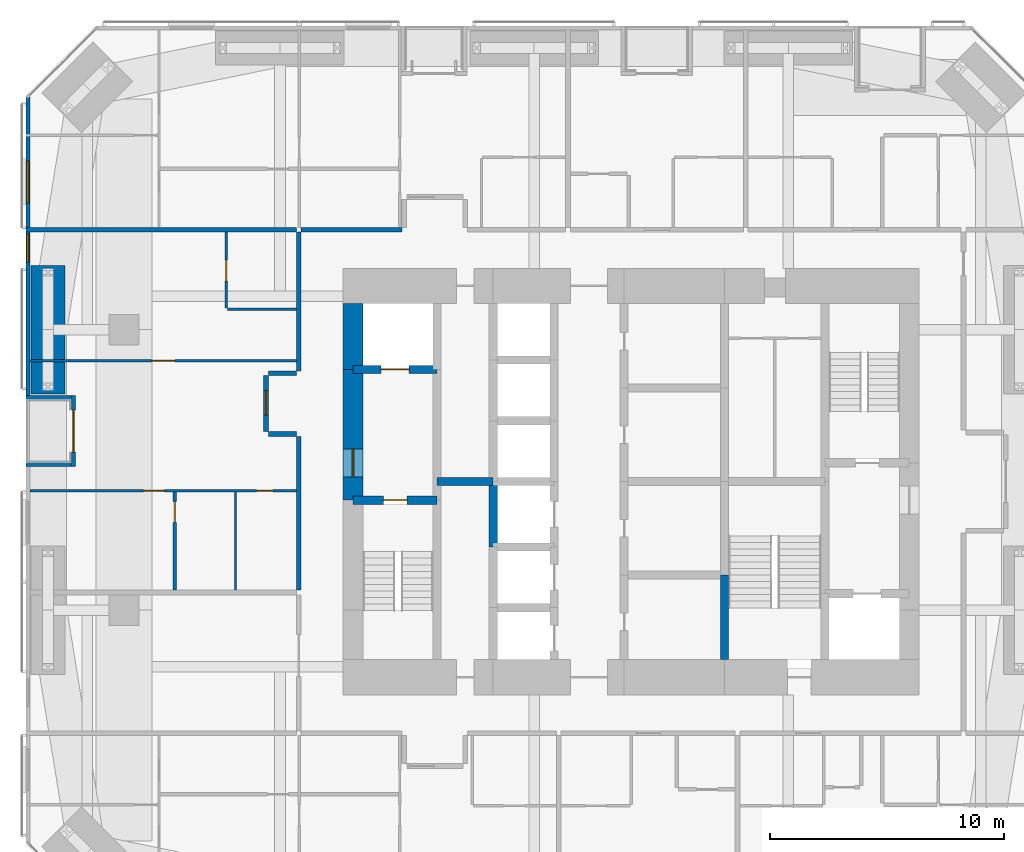
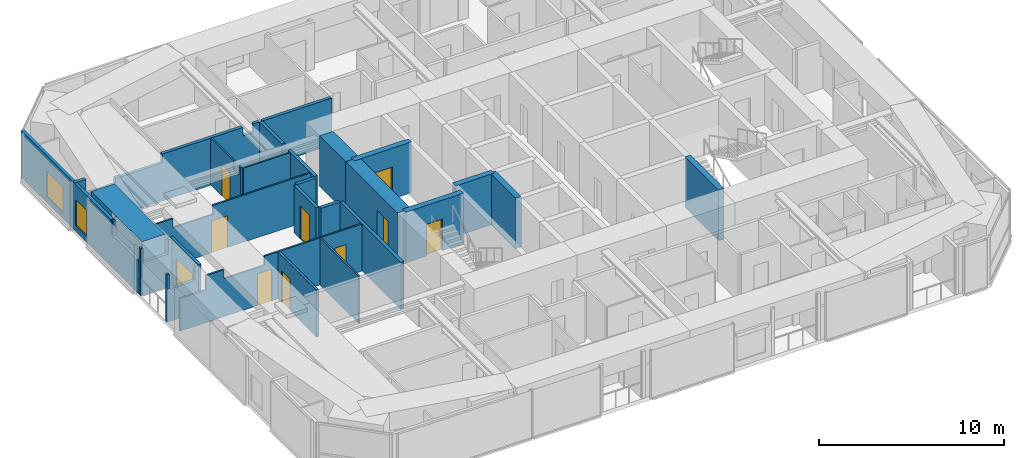
# One storey, part 19 of 25: 25 walls, 10 doors, 2 windows, 12 openings.
"""IFC4 building model written with IfcOpenShell, lengths in metres."""

import ifcopenshell
import ifcopenshell.guid

model = None  # the IFC model being written
_history = None  # IfcOwnerHistory: only IFC2X3 demands one
_inside = {}  # id of a spatial element -> (the spatial element, [elements in it])
_under = {}  # id of a project, library or spatial element -> (it, [spatial elements below it])
_declared = {}  # id of a project -> (the project, [libraries it declares])
_typed = {}  # id of a type object -> (the type object, [elements of that type])
_made_of = {}  # id of a material, layer set ... -> (it, [elements and type objects made of it])


def new_model(schema):
    """Start an empty IFC model of exactly this schema.

    Asked for "IFC4X3", IfcOpenShell would pick the latest addendum, in which some entities
    have other attributes; the version numbers below select the first issue.
    IFC2X3 requires an IfcOwnerHistory on every rooted entity: one is made here for all.
    """
    global model, _history
    if schema == "IFC4X3":
        model = ifcopenshell.file(schema_version=(4, 3, 0, 0))
    else:
        model = ifcopenshell.file(schema=schema)
    _inside.clear()
    _under.clear()
    _declared.clear()
    _typed.clear()
    _made_of.clear()
    _history = None
    if model.schema == "IFC2X3":
        org = make("IfcOrganization", Name="unknown")
        user = make(
            "IfcPersonAndOrganization",
            ThePerson=make("IfcPerson", FamilyName="unknown"),
            TheOrganization=org,
        )
        app = make(
            "IfcApplication",
            ApplicationDeveloper=org,
            Version="unknown",
            ApplicationFullName="unknown",
            ApplicationIdentifier="unknown",
        )
        _history = make(
            "IfcOwnerHistory",
            OwningUser=user,
            OwningApplication=app,
            ChangeAction="ADDED",
            CreationDate=0,
        )
    return model


def make(cls, **values):
    """One entity of the class cls with the attributes given. An attribute that is None is left unset."""
    return model.create_entity(
        cls, **{name: value for name, value in values.items() if value is not None}
    )


def rooted(cls, **values):
    """An entity with a GlobalId (a new one), such as an element, a storey or a relation."""
    return make(cls, GlobalId=ifcopenshell.guid.new(), OwnerHistory=_history, **values)


def si_unit(unit_type, name, prefix=None):
    """IfcSIUnit, for example si_unit("LENGTHUNIT", "METRE", prefix="MILLI")."""
    return make("IfcSIUnit", UnitType=unit_type, Prefix=prefix, Name=name)


def assignment(units):
    """IfcUnitAssignment: the units of a project."""
    return None if units is None else make("IfcUnitAssignment", Units=units)


def point(xyz):
    """IfcCartesianPoint."""
    return None if xyz is None else make("IfcCartesianPoint", Coordinates=xyz)


def direction(xyz):
    """IfcDirection."""
    return None if xyz is None else make("IfcDirection", DirectionRatios=xyz)


def frame(location, z_axis=None, x_axis=None):
    """IfcAxis2Placement3D, a coordinate frame: its origin and axes. An axis left out is left unset."""
    return make(
        "IfcAxis2Placement3D",
        Location=point(location),
        Axis=direction(z_axis),
        RefDirection=direction(x_axis),
    )


def frame_2d(location, x_axis=None):
    """IfcAxis2Placement2D, a coordinate frame in the plane: its origin and x axis."""
    return make(
        "IfcAxis2Placement2D", Location=point(location), RefDirection=direction(x_axis)
    )


def origin():
    """The frame at (0, 0, 0) with its axes left unset."""
    return frame((0.0, 0.0, 0.0))


def place(relative_to, where):
    """IfcLocalPlacement: puts the frame where relative to a parent placement (None: the world)."""
    return make(
        "IfcLocalPlacement", PlacementRelTo=relative_to, RelativePlacement=where
    )


def context(
    kind, dimensions, precision=None, world=None, true_north=None, identifier=None
):
    """IfcGeometricRepresentationContext, for example the 3D "Model" context."""
    return make(
        "IfcGeometricRepresentationContext",
        ContextIdentifier=identifier,
        ContextType=kind,
        CoordinateSpaceDimension=dimensions,
        Precision=precision,
        WorldCoordinateSystem=world,
        TrueNorth=true_north,
    )


def subcontext(parent, identifier, kind, view, scale=None):
    """IfcGeometricRepresentationSubContext, for example "Body" below "Model"."""
    return make(
        "IfcGeometricRepresentationSubContext",
        ContextIdentifier=identifier,
        ContextType=kind,
        ParentContext=parent,
        TargetScale=scale,
        TargetView=view,
    )


def project(units=None, contexts=None):
    """IfcProject with its units and contexts."""
    return rooted(
        "IfcProject",
        Name="project",
        RepresentationContexts=contexts,
        UnitsInContext=assignment(units),
    )


def spatial(cls, under=None, at=None, **own):
    """A site, building, storey or space (cls), placed at a placement, below another one or the project."""
    s = rooted(cls, ObjectPlacement=at, **own)
    if under is not None:
        _under.setdefault(under.id(), (under, []))[1].append(s)
    return s


def polyline(points):
    """IfcPolyline through the points."""
    return make("IfcPolyline", Points=[point(p) for p in points])


def profile(cls, at=None, kind="AREA", **sizes):
    """A parametric profile (cls). Its sizes go by their IFC names, for example OverallWidth=200.0."""
    return make(cls, ProfileType=kind, Position=at, **sizes)


def rectangle(**sizes):
    """IfcRectangleProfileDef."""
    return profile("IfcRectangleProfileDef", **sizes)


def outline(outer, holes=None, kind="AREA"):
    """IfcArbitraryClosedProfileDef: a profile drawn as a closed curve; with holes, ...WithVoids."""
    if holes is None:
        return make("IfcArbitraryClosedProfileDef", ProfileType=kind, OuterCurve=outer)
    return make(
        "IfcArbitraryProfileDefWithVoids",
        ProfileType=kind,
        OuterCurve=outer,
        InnerCurves=holes,
    )


def extrude(swept, where, along, depth):
    """IfcExtrudedAreaSolid: the profile swept, set in the frame where, extruded along a direction by depth."""
    return make(
        "IfcExtrudedAreaSolid",
        SweptArea=swept,
        Position=where,
        ExtrudedDirection=direction(along),
        Depth=depth,
    )


def shape(context_of_items, identifier, shape_type, items):
    """IfcShapeRepresentation: the items that make up one representation, for example the "Body"."""
    return make(
        "IfcShapeRepresentation",
        ContextOfItems=context_of_items,
        RepresentationIdentifier=identifier,
        RepresentationType=shape_type,
        Items=items,
    )


def material(Name=None, Category=None):
    """IfcMaterial."""
    return make("IfcMaterial", Name=Name, Category=Category)


def layer(
    of_material, thickness, ventilated=None, Name=None, Category=None, Priority=None
):
    """IfcMaterialLayer: one layer of a wall or slab, of a material (None: an air gap)."""
    return make(
        "IfcMaterialLayer",
        Material=of_material,
        LayerThickness=thickness,
        IsVentilated=ventilated,
        Name=Name,
        Category=Category,
        Priority=Priority,
    )


def layer_set(layers, Name=None):
    """IfcMaterialLayerSet."""
    return make("IfcMaterialLayerSet", MaterialLayers=layers, LayerSetName=Name)


def constituent(of_material, Name=None, Category=None, fraction=None):
    """IfcMaterialConstituent: one of the materials an element consists of."""
    return make(
        "IfcMaterialConstituent",
        Name=Name,
        Material=of_material,
        Fraction=fraction,
        Category=Category,
    )


def constituent_set(constituents=None, Name=None):
    """IfcMaterialConstituentSet."""
    return make(
        "IfcMaterialConstituentSet", Name=Name, MaterialConstituents=constituents
    )


def made_of(thing, what):
    """Note that an element or type object is made of a material, layer set ...; save() writes the relation."""
    if what is not None:
        _made_of.setdefault(what.id(), (what, []))[1].append(thing)
    return thing


def type_object(cls, material=None, **own):
    """A type object (cls), such as IfcWallType, which elements share."""
    return made_of(rooted(cls, **own), material)


def element(
    cls,
    number,
    at=None,
    inside=None,
    cuts=None,
    type_object=None,
    material=None,
    context=None,
    identifier="Body",
    shape_type=None,
    held_by="IfcProductDefinitionShape",
    body=None,
    shapes=None,
    **own,
):
    """One element of the class cls, such as IfcWall. Its Tag is "e" and its number.

    at: its placement. inside: the storey or other place that contains it. cuts: it is an
    opening in that element (IfcRelVoidsElement). A single representation is given by context,
    identifier, shape_type and body (its items); several are given by shapes. held_by: the class
    of the entity that holds the representations. save() writes the other relations.
    """
    e = rooted(cls, Tag="e%d" % number, ObjectPlacement=at, **own)
    if body is not None:
        shapes = [shape(context, identifier, shape_type, body)]
    if shapes is not None:
        e.Representation = make(held_by, Representations=shapes)
    if inside is not None:
        _inside.setdefault(inside.id(), (inside, []))[1].append(e)
    if cuts is not None:
        rooted(
            "IfcRelVoidsElement", RelatingBuildingElement=cuts, RelatedOpeningElement=e
        )
    if type_object is not None:
        _typed.setdefault(type_object.id(), (type_object, []))[1].append(e)
    return made_of(e, material)


def fill(opening, filler):
    """IfcRelFillsElement: the door or window that sits in an opening."""
    return rooted(
        "IfcRelFillsElement",
        RelatingOpeningElement=opening,
        RelatedBuildingElement=filler,
    )


def aggregate(whole, parts):
    """IfcRelAggregates: a whole, such as a stair, and the parts it consists of."""
    return rooted("IfcRelAggregates", RelatingObject=whole, RelatedObjects=parts)


def save(model, path):
    """Write the relations noted so far, then the file.

    IfcRelAggregates (storeys below a building ...), IfcRelContainedInSpatialStructure (elements
    in a storey), IfcRelDefinesByType, IfcRelAssociatesMaterial and IfcRelDeclares: one each for
    every whole, place, type object, material and project.
    """
    for whole, parts in _under.values():
        aggregate(whole, parts)
    for where, things in _inside.values():
        rooted(
            "IfcRelContainedInSpatialStructure",
            RelatedElements=things,
            RelatingStructure=where,
        )
    for kind, things in _typed.values():
        rooted("IfcRelDefinesByType", RelatedObjects=things, RelatingType=kind)
    for what, things in _made_of.values():
        rooted("IfcRelAssociatesMaterial", RelatedObjects=things, RelatingMaterial=what)
    for by, libraries in _declared.values():
        rooted("IfcRelDeclares", RelatingContext=by, RelatedDefinitions=libraries)
    model.write(path)


model = new_model("IFC4")

# Units and contexts
model_context = context("Model", 3, precision=1e-05, world=origin(), true_north=direction((0.0, 1.0)))
body_context = subcontext(model_context, "Body", "Model", "MODEL_VIEW")
ifc_project = project(units=[si_unit("LENGTHUNIT", "METRE"), si_unit("AREAUNIT", "SQUARE_METRE"), si_unit("VOLUMEUNIT", "CUBIC_METRE"), si_unit("PLANEANGLEUNIT", "RADIAN"), si_unit("MASSUNIT", "GRAM", prefix="KILO")], contexts=[model_context])

# Site, building, storey
site_placement = place(None, origin())
site = spatial("IfcSite", under=ifc_project, at=site_placement, CompositionType="ELEMENT")
building_placement = place(site_placement, origin())
building = spatial("IfcBuilding", under=site, at=building_placement, Name="Jalousie Tower", CompositionType="ELEMENT")
storey_placement = place(building_placement, frame((0.0, 0.0, 94.800048828125)))
storey = spatial("IfcBuildingStorey", under=building, at=storey_placement, Name="L25", CompositionType="ELEMENT", Elevation=94.800048828125)

# Wall, opening, door
ifc_material_1 = material(Name="Concrete block ASTM C90", Category="concrete")
ifc_constituent_1 = constituent(ifc_material_1, Name="Body")
ifc_material_2 = material(Name="Render")
ifc_constituent_2 = constituent(ifc_material_2, Name="Finish")
ifc_constituent_set_1 = constituent_set(constituents=[ifc_constituent_1, ifc_constituent_2])
wall_type_1 = type_object("IfcWallType", Name="BATHROOM WALL 150", PredefinedType="PLUMBINGWALL", material=ifc_constituent_set_1)
wall_1_placement = place(storey_placement, frame((12.375, 13.85009765625, 0.0), z_axis=(0.0, 0.0, 1.0), x_axis=(0.0, 1.0, 0.0)))
wall_1 = element("IfcWall", 1, at=wall_1_placement, inside=storey, type_object=wall_type_1, Name="Bathroom Wall 150 L25", PredefinedType="PLUMBINGWALL", context=body_context, shape_type="SweptSolid", body=[
    extrude(rectangle(XDim=4.199951171875, YDim=0.14990234375, at=frame_2d((2.10009765625, 0.0))), origin(), (0.0, 0.0, 1.0), 3.10986328125),
])
opening_1_placement = place(wall_1_placement, frame((2.89990234375, 0.0, 0.0)))
opening_1 = element("IfcOpeningElement", 2, at=opening_1_placement, cuts=wall_1, Name="Opening D3", PredefinedType="OPENING", context=body_context, shape_type="SweptSolid", body=[
    extrude(rectangle(XDim=0.89990234375, YDim=2.10009765625, at=frame_2d((0.449951171875, 1.050048828125))), frame((0.0, 0.0849609375, 0.0), z_axis=(0.0, -1.0, 0.0), x_axis=(1.0, 0.0, 0.0)), (0.0, 0.0, 1.0), 0.169921875),
])
ifc_material_3 = material(Name="Timber door", Category="wood")
door_type_1 = type_object("IfcDoorType", Name="BATHROOM DOOR 900", OperationType="SINGLE_SWING_LEFT", PredefinedType="DOOR", material=ifc_material_3)
door_1_placement = place(opening_1_placement, frame((0.89990234375, 0.0, 0.0), z_axis=(0.0, 0.0, 1.0), x_axis=(-1.0, 0.0, 0.0)))
door_1 = element("IfcDoor", 3, at=door_1_placement, inside=storey, type_object=door_type_1, Name="Apartment 2507 bedroom 1 bathroom door", OperationType="SINGLE_SWING_LEFT", OverallHeight=2.10009765625, OverallWidth=0.89990234375, PredefinedType="DOOR", context=body_context, shape_type="SweptSolid", body=[
    extrude(rectangle(XDim=0.89990234375, YDim=2.10009765625, at=frame_2d((0.449951171875, 1.050048828125))), frame((0.0, 0.02490234375, 0.0), z_axis=(0.0, -1.0, 0.0), x_axis=(1.0, 0.0, 0.0)), (0.0, 0.0, 1.0), 0.050048828125),
])
fill(opening_1, door_1)

# Walls
ifc_material_4 = material(Name="Concrete f'c 120 MPa", Category="concrete")
ifc_layer_1 = layer(ifc_material_4, 0.35009765625)
ifc_layer_set_1 = layer_set([ifc_layer_1], Name="Concrete f'c 120 MPa")
wall_type_2 = type_object("IfcWallType", Name="CORE WALL 350", PredefinedType="SHEAR", material=ifc_layer_set_1)
wall_2_placement = place(storey_placement, frame((26.0, 15.699951171875, 0.0), z_axis=(0.0, 0.0, 1.0), x_axis=(0.0, 1.0, 0.0)))
element("IfcWall", 4, at=wall_2_placement, inside=storey, type_object=wall_type_2, Name="Core wall X26C L25", PredefinedType="SHEAR", context=body_context, shape_type="SweptSolid", body=[
    extrude(rectangle(XDim=2.800048828125, YDim=0.35009765625, at=frame_2d((1.39990234375, 0.0))), origin(), (0.0, 0.0, 1.0), 3.349853515625),
])
wall_3_placement = place(storey_placement, frame((35.89990234375, 10.875, 0.0), z_axis=(0.0, 0.0, 1.0), x_axis=(0.0, 1.0, 0.0)))
element("IfcWall", 5, at=wall_3_placement, inside=storey, type_object=wall_type_2, Name="Core wall X35.9A L25", PredefinedType="SHEAR", context=body_context, shape_type="SweptSolid", body=[
    extrude(rectangle(XDim=3.625, YDim=0.35009765625, at=frame_2d((1.8125, 0.0))), origin(), (0.0, 0.0, 1.0), 3.349853515625),
])

# Wall, opening, door
wall_4_placement = place(storey_placement, frame((20.0, 17.699951171875, 0.0), z_axis=(0.0, 0.0, 1.0), x_axis=(1.0, 0.0, 0.0)))
wall_4 = element("IfcWall", 6, at=wall_4_placement, inside=storey, type_object=wall_type_2, Name="Core wall Y20-17.7 L25", PredefinedType="SHEAR", context=body_context, shape_type="SweptSolid", body=[
    extrude(rectangle(XDim=3.60009765625, YDim=0.35009765625, at=frame_2d((1.800048828125, 0.0))), origin(), (0.0, 0.0, 1.0), 3.349853515625),
])
opening_2_placement = place(wall_4_placement, frame((1.300048828125, 0.0, 0.0)))
opening_2 = element("IfcOpeningElement", 7, at=opening_2_placement, cuts=wall_4, Name="Opening D10", PredefinedType="OPENING", context=body_context, shape_type="SweptSolid", body=[
    extrude(rectangle(XDim=1.0, YDim=2.10009765625, at=frame_2d((0.5, 1.050048828125))), frame((0.0, 0.18505859375, 0.0), z_axis=(0.0, -1.0, 0.0), x_axis=(1.0, 0.0, 0.0)), (0.0, 0.0, 1.0), 0.3701171875),
])
ifc_material_5 = material(Name="Steel fire door", Category="steel")
door_type_2 = type_object("IfcDoorType", Name="STAIR DOOR 1000", OperationType="SINGLE_SWING_LEFT", PredefinedType="DOOR", material=ifc_material_5)
door_2_placement = place(opening_2_placement, frame((1.0, 0.0, 0.0), z_axis=(0.0, 0.0, 1.0), x_axis=(-1.0, 0.0, 0.0)))
door_2 = element("IfcDoor", 8, at=door_2_placement, inside=storey, type_object=door_type_2, Name="Exit stair A door", OperationType="SINGLE_SWING_RIGHT", OverallHeight=2.10009765625, OverallWidth=1.0, PredefinedType="DOOR", context=body_context, shape_type="SweptSolid", body=[
    extrude(rectangle(XDim=1.0, YDim=2.10009765625, at=frame_2d((0.5, 1.050048828125))), frame((0.0, 0.02490234375, 0.0), z_axis=(0.0, -1.0, 0.0), x_axis=(1.0, 0.0, 0.0)), (0.0, 0.0, 1.0), 0.050048828125),
])
fill(opening_2, door_2)

wall_5_placement = place(storey_placement, frame((20.0, 23.300048828125, 0.0), z_axis=(0.0, 0.0, 1.0), x_axis=(1.0, 0.0, 0.0)))
wall_5 = element("IfcWall", 9, at=wall_5_placement, inside=storey, type_object=wall_type_2, Name="Core wall Y20-23.3 L25", PredefinedType="SHEAR", context=body_context, shape_type="SweptSolid", body=[
    extrude(rectangle(XDim=3.60009765625, YDim=0.35009765625, at=frame_2d((1.800048828125, 0.0))), origin(), (0.0, 0.0, 1.0), 3.349853515625),
])
opening_3_placement = place(wall_5_placement, frame((1.199951171875, 0.0, 0.0)))
opening_3 = element("IfcOpeningElement", 10, at=opening_3_placement, cuts=wall_5, Name="Opening LD2", PredefinedType="OPENING", context=body_context, shape_type="SweptSolid", body=[
    extrude(rectangle(XDim=1.199951171875, YDim=2.10009765625, at=frame_2d((0.60009765625, 1.050048828125))), frame((0.0, 0.18505859375, 0.0), z_axis=(0.0, -1.0, 0.0), x_axis=(1.0, 0.0, 0.0)), (0.0, 0.0, 1.0), 0.3701171875),
])
ifc_material_6 = material(Name="Steel lift landing door", Category="steel")
door_type_3 = type_object("IfcDoorType", Name="LIFT LANDING DOOR 1200", OperationType="SLIDING_TO_LEFT", PredefinedType="DOOR", material=ifc_material_6)
door_3_placement = place(opening_3_placement, origin())
door_3 = element("IfcDoor", 11, at=door_3_placement, inside=storey, type_object=door_type_3, Name="Lift F1 landing door", OperationType="SLIDING_TO_LEFT", OverallHeight=2.10009765625, OverallWidth=1.199951171875, PredefinedType="DOOR", context=body_context, shape_type="SweptSolid", body=[
    extrude(rectangle(XDim=1.199951171875, YDim=2.10009765625, at=frame_2d((0.60009765625, 1.050048828125))), frame((0.0, 0.02490234375, 0.0), z_axis=(0.0, -1.0, 0.0), x_axis=(1.0, 0.0, 0.0)), (0.0, 0.0, 1.0), 0.050048828125),
])
fill(opening_3, door_3)

# Walls
wall_6_placement = place(storey_placement, frame((23.60009765625, 18.5, 0.0), z_axis=(0.0, 0.0, 1.0), x_axis=(1.0, 0.0, 0.0)))
element("IfcWall", 12, at=wall_6_placement, inside=storey, type_object=wall_type_2, Name="Core wall Y23.6-18.5 L25", PredefinedType="SHEAR", context=body_context, shape_type="SweptSolid", body=[
    extrude(rectangle(XDim=2.39990234375, YDim=0.35009765625, at=frame_2d((1.199951171875, 0.0))), origin(), (0.0, 0.0, 1.0), 3.349853515625),
])
ifc_material_7 = material(Name="Concrete f'c 120 MPa", Category="concrete")
ifc_layer_2 = layer(ifc_material_7, 0.85009765625)
ifc_layer_set_2 = layer_set([ifc_layer_2], Name="Concrete f'c 120 MPa")
wall_type_3 = type_object("IfcWallType", Name="CORE WALL 850", PredefinedType="SHEAR", material=ifc_layer_set_2)
wall_7_placement = place(storey_placement, frame((20.0, 26.125, 0.0), z_axis=(0.0, 0.0, 1.0), x_axis=(0.0, -1.0, 0.0)))
element("IfcWall", 13, at=wall_7_placement, inside=storey, type_object=wall_type_3, Name="Core wall WA L25", PredefinedType="SHEAR", context=body_context, shape_type="SweptSolid", body=[
    extrude(rectangle(XDim=2.824951171875, YDim=0.85009765625, at=frame_2d((1.41259765625, 0.0))), origin(), (0.0, 0.0, 1.0), 3.349853515625),
])

# Wall, opening, door
wall_8_placement = place(storey_placement, frame((20.0, 23.300048828125, 0.0), z_axis=(0.0, 0.0, 1.0), x_axis=(0.0, -1.0, 0.0)))
wall_8 = element("IfcWall", 14, at=wall_8_placement, inside=storey, type_object=wall_type_3, Name="Core wall WB L25", PredefinedType="SHEAR", context=body_context, shape_type="SweptSolid", body=[
    extrude(rectangle(XDim=5.60009765625, YDim=0.85009765625, at=frame_2d((2.800048828125, 0.0))), origin(), (0.0, 0.0, 1.0), 3.349853515625),
])
opening_4_placement = place(wall_8_placement, frame((3.39990234375, 0.0, 0.0)))
opening_4 = element("IfcOpeningElement", 15, at=opening_4_placement, cuts=wall_8, Name="Opening D11", PredefinedType="OPENING", context=body_context, shape_type="SweptSolid", body=[
    extrude(rectangle(XDim=1.199951171875, YDim=2.199951171875, at=frame_2d((0.60009765625, 1.10009765625))), frame((0.0, 0.43505859375, 0.0), z_axis=(0.0, -1.0, 0.0), x_axis=(1.0, 0.0, 0.0)), (0.0, 0.0, 1.0), 0.8701171875),
])
ifc_material_8 = material(Name="Steel fire door", Category="steel")
door_type_4 = type_object("IfcDoorType", Name="FIRE DOOR 1200", OperationType="SINGLE_SWING_LEFT", PredefinedType="DOOR", material=ifc_material_8)
door_4_placement = place(opening_4_placement, origin())
door_4 = element("IfcDoor", 16, at=door_4_placement, inside=storey, type_object=door_type_4, Name="Fire-fighting lobby A door", OperationType="SINGLE_SWING_RIGHT", OverallHeight=2.199951171875, OverallWidth=1.199951171875, PredefinedType="DOOR", context=body_context, shape_type="SweptSolid", body=[
    extrude(rectangle(XDim=1.199951171875, YDim=2.199951171875, at=frame_2d((0.60009765625, 1.10009765625))), frame((0.0, 0.02490234375, 0.0), z_axis=(0.0, -1.0, 0.0), x_axis=(1.0, 0.0, 0.0)), (0.0, 0.0, 1.0), 0.050048828125),
])
fill(opening_4, door_4)

# Walls
ifc_material_9 = material(Name="Concrete block ASTM C90", Category="concrete")
ifc_constituent_3 = constituent(ifc_material_9, Name="Body")
ifc_material_10 = material(Name="Render")
ifc_constituent_4 = constituent(ifc_material_10, Name="Finish")
ifc_constituent_set_2 = constituent_set(constituents=[ifc_constituent_3, ifc_constituent_4])
wall_type_4 = type_object("IfcWallType", Name="CORRIDOR WALL 200", PredefinedType="PARTITIONING", material=ifc_constituent_set_2)
wall_9_placement = place(storey_placement, frame((17.77490234375, 29.27490234375, 0.0), z_axis=(0.0, 0.0, 1.0), x_axis=(1.0, 0.0, 0.0)))
element("IfcWall", 17, at=wall_9_placement, inside=storey, type_object=wall_type_4, Name="Corridor Wall 200 L25", PredefinedType="PARTITIONING", context=body_context, shape_type="SweptSolid", body=[
    extrude(rectangle(XDim=4.3251953125, YDim=0.199951171875, at=frame_2d((2.16259765625, 0.0))), origin(), (0.0, 0.0, 1.0), 3.10986328125),
])
wall_10_placement = place(storey_placement, frame((17.675048828125, 13.85009765625, 0.0), z_axis=(0.0, 0.0, 1.0), x_axis=(0.0, 1.0, 0.0)))
element("IfcWall", 18, at=wall_10_placement, inside=storey, type_object=wall_type_4, Name="Corridor Wall 200 L25", PredefinedType="PARTITIONING", context=body_context, shape_type="SweptSolid", body=[
    extrude(rectangle(XDim=6.58740234375, YDim=0.199951171875, at=frame_2d((3.293701171875, 0.0))), origin(), (0.0, 0.0, 1.0), 3.10986328125),
])
wall_11_placement = place(storey_placement, frame((17.675048828125, 23.237548828125, 0.0), z_axis=(0.0, 0.0, 1.0), x_axis=(0.0, 1.0, 0.0)))
element("IfcWall", 19, at=wall_11_placement, inside=storey, type_object=wall_type_4, Name="Corridor Wall 200 L25", PredefinedType="PARTITIONING", context=body_context, shape_type="SweptSolid", body=[
    extrude(outline(polyline([(0.0, 0.0), (5.9375, 0.0), (5.9375, 3.10986328125), (3.52490234375, 3.10986328125), (3.52490234375, 2.541015625), (2.85009765625, 2.541015625), (2.85009765625, 3.10986328125), (0.0, 3.10986328125), (0.0, 0.0)])), frame((0.0, 0.10009765625, 0.0), z_axis=(0.0, -1.0, 0.0), x_axis=(1.0, 0.0, 0.0)), (0.0, 0.0, 1.0), 0.199951171875),
])

# Wall, opening, door
wall_12_placement = place(storey_placement, frame((16.27490234375, 20.637451171875, 0.0), z_axis=(0.0, 0.0, 1.0), x_axis=(0.0, 1.0, 0.0)))
wall_12 = element("IfcWall", 20, at=wall_12_placement, inside=storey, type_object=wall_type_4, Name="Corridor Wall 200 L25", PredefinedType="PARTITIONING", context=body_context, shape_type="SweptSolid", body=[
    extrude(rectangle(XDim=2.400146484375, YDim=0.199951171875, at=frame_2d((1.2001953125, 0.0))), origin(), (0.0, 0.0, 1.0), 3.10986328125),
])
opening_5_placement = place(wall_12_placement, frame((0.699951171875, 0.0, 0.0)))
opening_5 = element("IfcOpeningElement", 21, at=opening_5_placement, cuts=wall_12, Name="Opening D1", PredefinedType="OPENING", context=body_context, shape_type="SweptSolid", body=[
    extrude(rectangle(XDim=1.050048828125, YDim=2.199951171875, at=frame_2d((0.52490234375, 1.10009765625))), frame((0.0, 0.10986328125, 0.0), z_axis=(0.0, -1.0, 0.0), x_axis=(1.0, 0.0, 0.0)), (0.0, 0.0, 1.0), 0.219970703125),
])
ifc_material_11 = material(Name="Timber fire door", Category="wood")
door_type_5 = type_object("IfcDoorType", Name="APARTMENT ENTRANCE DOOR 1050", OperationType="SINGLE_SWING_LEFT", PredefinedType="DOOR", material=ifc_material_11)
door_5_placement = place(opening_5_placement, origin())
door_5 = element("IfcDoor", 22, at=door_5_placement, inside=storey, type_object=door_type_5, Name="Apartment 2507 entrance", OperationType="SINGLE_SWING_RIGHT", OverallHeight=2.199951171875, OverallWidth=1.050048828125, PredefinedType="DOOR", context=body_context, shape_type="SweptSolid", body=[
    extrude(rectangle(XDim=1.050048828125, YDim=2.199951171875, at=frame_2d((0.52490234375, 1.10009765625))), frame((0.0, 0.02490234375, 0.0), z_axis=(0.0, -1.0, 0.0), x_axis=(1.0, 0.0, 0.0)), (0.0, 0.0, 1.0), 0.050048828125),
])
fill(opening_5, door_5)

# Walls
for number, where, z_axis, x_axis, name in (
    (23, (17.574951171875, 20.53759765625, 0.0), (0.0, 0.0, 1.0), (-1.0, 0.0, 0.0), "Corridor Wall 200 L25"),
    (24, (17.574951171875, 23.137451171875, 0.0), (0.0, 0.0, 1.0), (-1.0, 0.0, 0.0), "Corridor Wall 200 L25"),
):
    element("IfcWall", number, at=place(storey_placement, frame(where, z_axis=z_axis, x_axis=x_axis)), inside=storey, type_object=wall_type_4, Name=name, PredefinedType="PARTITIONING", context=body_context, shape_type="SweptSolid", body=[
        extrude(rectangle(XDim=1.199951171875, YDim=0.199951171875, at=frame_2d((0.60009765625, 0.0))), origin(), (0.0, 0.0, 1.0), 3.10986328125),
    ])

# Wall, openings, windows
ifc_material_12 = material(Name="Concrete f'c 40 MPa", Category="concrete")
ifc_constituent_5 = constituent(ifc_material_12, Name="Body")
ifc_material_13 = material(Name="Render, pastel sea green")
ifc_constituent_6 = constituent(ifc_material_13, Name="Finish")
ifc_constituent_set_3 = constituent_set(constituents=[ifc_constituent_5, ifc_constituent_6])
wall_type_5 = type_object("IfcWallType", Name="EXTERNAL WALL 175 SEA GREEN RENDER", PredefinedType="SOLIDWALL", material=ifc_constituent_set_3)
wall_13_placement = place(storey_placement, frame((6.08740234375, 34.94873046875, 0.0), z_axis=(0.0, 0.0, 1.0), x_axis=(0.0, -1.0, 0.0)))
wall_13 = element("IfcWall", 25, at=wall_13_placement, inside=storey, type_object=wall_type_5, Name="External Wall 175 Sea Green Render L25", PredefinedType="SOLIDWALL", context=body_context, shape_type="SweptSolid", body=[
    extrude(outline(polyline([(0.0, 0.0), (12.76123046875, 0.0), (12.76123046875, 2.14990234375), (9.94873046875, 2.14990234375), (9.94873046875, 3.10986328125), (9.822998046875, 3.10986328125), (9.822998046875, 2.14990234375), (9.72998046875, 2.14990234375), (9.72998046875, 3.10986328125), (0.0, 3.10986328125), (0.0, 0.0)])), frame((0.0, 0.08740234375, 0.0), z_axis=(0.0, -1.0, 0.0), x_axis=(1.0, 0.0, 0.0)), (0.0, 0.0, 1.0), 0.175048828125),
])
opening_6_placement = place(wall_13_placement, frame((2.72412109375, 0.0, 0.39990234375)))
opening_6 = element("IfcOpeningElement", 26, at=opening_6_placement, cuts=wall_13, Name="Opening W-BED170", PredefinedType="OPENING", context=body_context, shape_type="SweptSolid", body=[
    extrude(rectangle(XDim=1.800048828125, YDim=1.699951171875, at=frame_2d((0.89990234375, 0.85009765625))), frame((0.0, 0.097412109375, 0.0), z_axis=(0.0, -1.0, 0.0), x_axis=(1.0, 0.0, 0.0)), (0.0, 0.0, 1.0), 0.195068359375),
])
opening_7_placement = place(wall_13_placement, frame((5.873779296875, 0.0, 0.39990234375)))
opening_7 = element("IfcOpeningElement", 27, at=opening_7_placement, cuts=wall_13, Name="Opening W-COR170", PredefinedType="OPENING", context=body_context, shape_type="SweptSolid", body=[
    extrude(rectangle(XDim=1.199951171875, YDim=1.699951171875, at=frame_2d((0.60009765625, 0.85009765625))), frame((0.0, 0.097412109375, 0.0), z_axis=(0.0, -1.0, 0.0), x_axis=(1.0, 0.0, 0.0)), (0.0, 0.0, 1.0), 0.195068359375),
])
ifc_material_14 = material(Name="Aluminium frame, impact-rated glazing", Category="aluminium")
window_type_1 = type_object("IfcWindowType", Name="WINDOW BED 1800x1700", PartitioningType="SINGLE_PANEL", PredefinedType="WINDOW", material=ifc_material_14)
window_1_placement = place(opening_6_placement, origin())
window_1 = element("IfcWindow", 28, at=window_1_placement, inside=storey, type_object=window_type_1, Name="Apartment 2504 bedroom 1 window", OverallHeight=1.699951171875, OverallWidth=1.800048828125, PartitioningType="SINGLE_PANEL", PredefinedType="WINDOW", context=body_context, shape_type="SweptSolid", body=[
    extrude(rectangle(XDim=1.800048828125, YDim=1.699951171875, at=frame_2d((0.89990234375, 0.85009765625))), frame((0.0, 0.030029296875, 0.0), z_axis=(0.0, -1.0, 0.0), x_axis=(1.0, 0.0, 0.0)), (0.0, 0.0, 1.0), 0.06005859375),
])
fill(opening_6, window_1)
ifc_material_15 = material(Name="Aluminium frame, impact-rated glazing", Category="aluminium")
window_type_2 = type_object("IfcWindowType", Name="WINDOW COR 1200x1700", PartitioningType="SINGLE_PANEL", PredefinedType="WINDOW", material=ifc_material_15)
window_2_placement = place(opening_7_placement, origin())
window_2 = element("IfcWindow", 29, at=window_2_placement, inside=storey, type_object=window_type_2, Name="Apartment 2507 dining room window", OverallHeight=1.699951171875, OverallWidth=1.199951171875, PartitioningType="SINGLE_PANEL", PredefinedType="WINDOW", context=body_context, shape_type="SweptSolid", body=[
    extrude(rectangle(XDim=1.199951171875, YDim=1.699951171875, at=frame_2d((0.60009765625, 0.85009765625))), frame((0.0, 0.030029296875, 0.0), z_axis=(0.0, -1.0, 0.0), x_axis=(1.0, 0.0, 0.0)), (0.0, 0.0, 1.0), 0.06005859375),
])
fill(opening_7, window_2)

# Wall, opening, door
wall_14_placement = place(storey_placement, frame((8.03759765625, 22.1875, 0.0), z_axis=(0.0, 0.0, 1.0), x_axis=(0.0, -1.0, 0.0)))
wall_14 = element("IfcWall", 30, at=wall_14_placement, inside=storey, type_object=wall_type_5, Name="External Wall 175 Sea Green Render L25", PredefinedType="SOLIDWALL", context=body_context, shape_type="SweptSolid", body=[
    extrude(rectangle(XDim=3.050048828125, YDim=0.175048828125, at=frame_2d((1.52490234375, 0.0))), origin(), (0.0, 0.0, 1.0), 3.10986328125),
])
opening_8_placement = place(wall_14_placement, frame((0.625, 0.0, 0.0)))
opening_8 = element("IfcOpeningElement", 31, at=opening_8_placement, cuts=wall_14, Name="Opening D-BAL21", PredefinedType="OPENING", context=body_context, shape_type="SweptSolid", body=[
    extrude(rectangle(XDim=1.800048828125, YDim=2.10009765625, at=frame_2d((0.89990234375, 1.050048828125))), frame((0.0, 0.097412109375, 0.0), z_axis=(0.0, -1.0, 0.0), x_axis=(1.0, 0.0, 0.0)), (0.0, 0.0, 1.0), 0.195068359375),
])
ifc_material_16 = material(Name="Aluminium frame, impact-rated glazing", Category="aluminium")
door_type_6 = type_object("IfcDoorType", Name="BALCONY DOOR 1800x2100", OperationType="SLIDING_TO_LEFT", PredefinedType="DOOR", material=ifc_material_16)
door_6_placement = place(opening_8_placement, origin())
door_6 = element("IfcDoor", 32, at=door_6_placement, inside=storey, type_object=door_type_6, Name="Apartment 2507 living room loggia door", OperationType="SLIDING_TO_LEFT", OverallHeight=2.10009765625, OverallWidth=1.800048828125, PredefinedType="DOOR", context=body_context, shape_type="SweptSolid", body=[
    extrude(rectangle(XDim=1.800048828125, YDim=2.10009765625, at=frame_2d((0.89990234375, 1.050048828125))), frame((0.0, 0.02490234375, 0.0), z_axis=(0.0, -1.0, 0.0), x_axis=(1.0, 0.0, 0.0)), (0.0, 0.0, 1.0), 0.050048828125),
])
fill(opening_8, door_6)

# Walls
for number, where, z_axis, x_axis, name in (
    (33, (6.0, 22.10009765625, 0.0), (0.0, 0.0, 1.0), (1.0, 0.0, 0.0), "External Wall 175 Sea Green Render L25"),
    (34, (6.0, 19.22509765625, 0.0), (0.0, 0.0, 1.0), (1.0, 0.0, 0.0), "External Wall 175 Sea Green Render L25"),
):
    element("IfcWall", number, at=place(storey_placement, frame(where, z_axis=z_axis, x_axis=x_axis)), inside=storey, type_object=wall_type_5, Name=name, PredefinedType="SOLIDWALL", context=body_context, shape_type="SweptSolid", body=[
        extrude(outline(polyline([(0.0, 0.0), (1.949951171875, 0.0), (1.949951171875, 3.10986328125), (1.75, 3.10986328125), (1.75, 2.14990234375), (0.14990234375, 2.14990234375), (0.14990234375, 3.10986328125), (0.0, 3.10986328125), (0.0, 0.0)])), frame((0.0, 0.08740234375, 0.0), z_axis=(0.0, -1.0, 0.0), x_axis=(1.0, 0.0, 0.0)), (0.0, 0.0, 1.0), 0.175048828125),
    ])

# Wall, openings, doors
ifc_material_17 = material(Name="Gypsum board", Category="gypsum")
ifc_constituent_7 = constituent(ifc_material_17, Name="Body")
ifc_material_18 = material(Name="Light-gauge steel studs ASTM A653 SS Grade 33", Category="steel")
ifc_constituent_8 = constituent(ifc_material_18, Name="Framing")
ifc_constituent_set_4 = constituent_set(constituents=[ifc_constituent_7, ifc_constituent_8])
wall_type_6 = type_object("IfcWallType", Name="PARTITION 100", PredefinedType="PARTITIONING", material=ifc_constituent_set_4)
wall_15_placement = place(storey_placement, frame((6.175048828125, 18.10009765625, 0.0), z_axis=(0.0, 0.0, 1.0), x_axis=(1.0, 0.0, 0.0)))
wall_15 = element("IfcWall", 35, at=wall_15_placement, inside=storey, type_object=wall_type_6, Name="Partition 100 L25", PredefinedType="PARTITIONING", context=body_context, shape_type="SweptSolid", body=[
    extrude(outline(polyline([(0.0, 0.0), (11.39990234375, 0.0), (11.39990234375, 3.10986328125), (5.284912109375, 3.10986328125), (5.284912109375, 2.510009765625), (2.764892578125, 2.510009765625), (2.764892578125, 3.10986328125), (1.635009765625, 3.10986328125), (1.635009765625, 2.14990234375), (0.0, 2.14990234375), (0.0, 3.10986328125), (0.0, 0.0)])), frame((0.0, 0.050048828125, 0.0), z_axis=(0.0, -1.0, 0.0), x_axis=(1.0, 0.0, 0.0)), (0.0, 0.0, 1.0), 0.10009765625),
])
opening_9_placement = place(wall_15_placement, frame((4.85009765625, 0.0, 0.0)))
opening_9 = element("IfcOpeningElement", 36, at=opening_9_placement, cuts=wall_15, Name="Opening D2", PredefinedType="OPENING", context=body_context, shape_type="SweptSolid", body=[
    extrude(rectangle(XDim=0.89990234375, YDim=2.10009765625, at=frame_2d((0.449951171875, 1.050048828125))), frame((0.0, 0.06005859375, 0.0), z_axis=(0.0, -1.0, 0.0), x_axis=(1.0, 0.0, 0.0)), (0.0, 0.0, 1.0), 0.1201171875),
])
opening_10_placement = place(wall_15_placement, frame((9.699951171875, 0.0, 0.0)))
opening_10 = element("IfcOpeningElement", 37, at=opening_10_placement, cuts=wall_15, Name="Opening D4", PredefinedType="OPENING", context=body_context, shape_type="SweptSolid", body=[
    extrude(rectangle(XDim=0.699951171875, YDim=2.10009765625, at=frame_2d((0.35009765625, 1.050048828125))), frame((0.0, 0.06005859375, 0.0), z_axis=(0.0, -1.0, 0.0), x_axis=(1.0, 0.0, 0.0)), (0.0, 0.0, 1.0), 0.1201171875),
])
ifc_material_19 = material(Name="Timber door", Category="wood")
door_type_7 = type_object("IfcDoorType", Name="BEDROOM DOOR 900", OperationType="SINGLE_SWING_LEFT", PredefinedType="DOOR", material=ifc_material_19)
door_7_placement = place(opening_9_placement, frame((0.89990234375, 0.0, 0.0), z_axis=(0.0, 0.0, 1.0), x_axis=(-1.0, 0.0, 0.0)))
door_7 = element("IfcDoor", 38, at=door_7_placement, inside=storey, type_object=door_type_7, Name="Apartment 2507 bedroom 1 door", OperationType="SINGLE_SWING_LEFT", OverallHeight=2.10009765625, OverallWidth=0.89990234375, PredefinedType="DOOR", context=body_context, shape_type="SweptSolid", body=[
    extrude(rectangle(XDim=0.89990234375, YDim=2.10009765625, at=frame_2d((0.449951171875, 1.050048828125))), frame((0.0, 0.02490234375, 0.0), z_axis=(0.0, -1.0, 0.0), x_axis=(1.0, 0.0, 0.0)), (0.0, 0.0, 1.0), 0.050048828125),
])
fill(opening_9, door_7)
ifc_material_20 = material(Name="Timber door", Category="wood")
door_type_8 = type_object("IfcDoorType", Name="STORE DOOR 700", OperationType="SINGLE_SWING_LEFT", PredefinedType="DOOR", material=ifc_material_20)
door_8_placement = place(opening_10_placement, frame((0.699951171875, 0.0, 0.0), z_axis=(0.0, 0.0, 1.0), x_axis=(-1.0, 0.0, 0.0)))
door_8 = element("IfcDoor", 39, at=door_8_placement, inside=storey, type_object=door_type_8, Name="Apartment 2507 store door", OperationType="SINGLE_SWING_RIGHT", OverallHeight=2.10009765625, OverallWidth=0.699951171875, PredefinedType="DOOR", context=body_context, shape_type="SweptSolid", body=[
    extrude(rectangle(XDim=0.699951171875, YDim=2.10009765625, at=frame_2d((0.35009765625, 1.050048828125))), frame((0.0, 0.02490234375, 0.0), z_axis=(0.0, -1.0, 0.0), x_axis=(1.0, 0.0, 0.0)), (0.0, 0.0, 1.0), 0.050048828125),
])
fill(opening_10, door_8)

# Wall
wall_16_placement = place(storey_placement, frame((14.97509765625, 13.85009765625, 0.0), z_axis=(0.0, 0.0, 1.0), x_axis=(0.0, 1.0, 0.0)))
element("IfcWall", 40, at=wall_16_placement, inside=storey, type_object=wall_type_6, Name="Partition 100 L25", PredefinedType="PARTITIONING", context=body_context, shape_type="SweptSolid", body=[
    extrude(rectangle(XDim=4.199951171875, YDim=0.10009765625, at=frame_2d((2.10009765625, 0.0))), origin(), (0.0, 0.0, 1.0), 3.10986328125),
])

# Wall, opening, door
wall_17_placement = place(storey_placement, frame((14.574951171875, 25.925048828125, 0.0), z_axis=(0.0, 0.0, 1.0), x_axis=(0.0, 1.0, 0.0)))
wall_17 = element("IfcWall", 41, at=wall_17_placement, inside=storey, type_object=wall_type_6, Name="Partition 100 L25", PredefinedType="PARTITIONING", context=body_context, shape_type="SweptSolid", body=[
    extrude(outline(polyline([(0.0, 0.0), (3.25, 0.0), (3.25, 3.10986328125), (0.787353515625, 3.10986328125), (0.787353515625, 2.541015625), (0.212646484375, 2.541015625), (0.212646484375, 3.10986328125), (0.0, 3.10986328125), (0.0, 0.0)])), frame((0.0, 0.050048828125, 0.0), z_axis=(0.0, -1.0, 0.0), x_axis=(1.0, 0.0, 0.0)), (0.0, 0.0, 1.0), 0.10009765625),
])
opening_11_placement = place(wall_17_placement, frame((1.14990234375, 0.0, 0.0)))
opening_11 = element("IfcOpeningElement", 42, at=opening_11_placement, cuts=wall_17, Name="Opening D7", PredefinedType="OPENING", context=body_context, shape_type="SweptSolid", body=[
    extrude(rectangle(XDim=0.89990234375, YDim=2.10009765625, at=frame_2d((0.449951171875, 1.050048828125))), frame((0.0, 0.06005859375, 0.0), z_axis=(0.0, -1.0, 0.0), x_axis=(1.0, 0.0, 0.0)), (0.0, 0.0, 1.0), 0.1201171875),
])
ifc_material_21 = material(Name="Timber door", Category="wood")
door_type_9 = type_object("IfcDoorType", Name="INTERNAL DOOR 900", OperationType="SINGLE_SWING_LEFT", PredefinedType="DOOR", material=ifc_material_21)
door_9_placement = place(opening_11_placement, origin())
door_9 = element("IfcDoor", 43, at=door_9_placement, inside=storey, type_object=door_type_9, Name="Apartment 2507 kitchen door", OperationType="SINGLE_SWING_RIGHT", OverallHeight=2.10009765625, OverallWidth=0.89990234375, PredefinedType="DOOR", context=body_context, shape_type="SweptSolid", body=[
    extrude(rectangle(XDim=0.89990234375, YDim=2.10009765625, at=frame_2d((0.449951171875, 1.050048828125))), frame((0.0, 0.02490234375, 0.0), z_axis=(0.0, -1.0, 0.0), x_axis=(1.0, 0.0, 0.0)), (0.0, 0.0, 1.0), 0.050048828125),
])
fill(opening_11, door_9)

# Wall
wall_18_placement = place(storey_placement, frame((14.625, 25.875, 0.0), z_axis=(0.0, 0.0, 1.0), x_axis=(1.0, 0.0, 0.0)))
element("IfcWall", 44, at=wall_18_placement, inside=storey, type_object=wall_type_6, Name="Partition 100 L25", PredefinedType="PARTITIONING", context=body_context, shape_type="SweptSolid", body=[
    extrude(rectangle(XDim=2.949951171875, YDim=0.10009765625, at=frame_2d((1.47509765625, 0.0))), origin(), (0.0, 0.0, 1.0), 3.10986328125),
])

# Wall, opening, door
wall_19_placement = place(storey_placement, frame((6.175048828125, 23.66259765625, 0.0), z_axis=(0.0, 0.0, 1.0), x_axis=(1.0, 0.0, 0.0)))
wall_19 = element("IfcWall", 45, at=wall_19_placement, inside=storey, type_object=wall_type_6, Name="Partition 100 L25", PredefinedType="PARTITIONING", context=body_context, shape_type="SweptSolid", body=[
    extrude(outline(polyline([(0.52880859375, 2.14990234375), (0.0, 2.14990234375), (0.0, 0.0), (0.52880859375, 0.0), (0.52880859375, 0.555419921875), (1.021240234375, 0.555419921875), (1.021240234375, 0.0), (11.39990234375, 0.0), (11.39990234375, 3.10986328125), (5.284912109375, 3.10986328125), (5.284912109375, 2.510009765625), (2.764892578125, 2.510009765625), (2.764892578125, 3.10986328125), (1.635009765625, 3.10986328125), (1.635009765625, 2.14990234375), (1.021240234375, 2.14990234375), (1.021240234375, 1.594482421875), (0.52880859375, 1.594482421875), (0.52880859375, 2.14990234375)])), frame((0.0, 0.050048828125, 0.0), z_axis=(0.0, -1.0, 0.0), x_axis=(1.0, 0.0, 0.0)), (0.0, 0.0, 1.0), 0.10009765625),
])
opening_12_placement = place(wall_19_placement, frame((5.199951171875, 0.0, 0.0)))
opening_12 = element("IfcOpeningElement", 46, at=opening_12_placement, cuts=wall_19, Name="Opening D6", PredefinedType="OPENING", context=body_context, shape_type="SweptSolid", body=[
    extrude(rectangle(XDim=1.0, YDim=2.10009765625, at=frame_2d((0.5, 1.050048828125))), frame((0.0, 0.06005859375, 0.0), z_axis=(0.0, -1.0, 0.0), x_axis=(1.0, 0.0, 0.0)), (0.0, 0.0, 1.0), 0.1201171875),
])
ifc_material_22 = material(Name="Timber door", Category="wood")
door_type_10 = type_object("IfcDoorType", Name="INTERNAL DOOR 1000", OperationType="SINGLE_SWING_LEFT", PredefinedType="DOOR", material=ifc_material_22)
door_10_placement = place(opening_12_placement, origin())
door_10 = element("IfcDoor", 47, at=door_10_placement, inside=storey, type_object=door_type_10, Name="Apartment 2507 dining room door", OperationType="SINGLE_SWING_RIGHT", OverallHeight=2.10009765625, OverallWidth=1.0, PredefinedType="DOOR", context=body_context, shape_type="SweptSolid", body=[
    extrude(rectangle(XDim=1.0, YDim=2.10009765625, at=frame_2d((0.5, 1.050048828125))), frame((0.0, 0.02490234375, 0.0), z_axis=(0.0, -1.0, 0.0), x_axis=(1.0, 0.0, 0.0)), (0.0, 0.0, 1.0), 0.050048828125),
])
fill(opening_12, door_10)

# Walls
ifc_material_23 = material(Name="Concrete block ASTM C90", Category="concrete")
ifc_constituent_9 = constituent(ifc_material_23, Name="Body")
ifc_material_24 = material(Name="Render")
ifc_constituent_10 = constituent(ifc_material_24, Name="Finish")
ifc_constituent_set_5 = constituent_set(constituents=[ifc_constituent_9, ifc_constituent_10])
wall_type_7 = type_object("IfcWallType", Name="PARTY WALL 200", PredefinedType="PARTITIONING", material=ifc_constituent_set_5)
wall_20_placement = place(storey_placement, frame((6.0, 29.27490234375, 0.0), z_axis=(0.0, 0.0, 1.0), x_axis=(1.0, 0.0, 0.0)))
element("IfcWall", 48, at=wall_20_placement, inside=storey, type_object=wall_type_7, Name="Party Wall 200 L25", PredefinedType="PARTITIONING", context=body_context, shape_type="SweptSolid", body=[
    extrude(outline(polyline([(0.0, 0.0), (11.574951171875, 0.0), (11.574951171875, 3.10986328125), (11.21240234375, 3.10986328125), (11.21240234375, 2.541015625), (10.53759765625, 2.541015625), (10.53759765625, 3.10986328125), (5.510009765625, 3.10986328125), (5.510009765625, 2.510009765625), (2.96875, 2.510009765625), (2.96875, 2.541015625), (2.565185546875, 2.541015625), (2.565185546875, 2.14990234375), (0.721435546875, 2.14990234375), (0.721435546875, 3.10986328125), (0.0, 3.10986328125), (0.0, 0.0)])), frame((0.0, 0.10009765625, 0.0), z_axis=(0.0, -1.0, 0.0), x_axis=(1.0, 0.0, 0.0)), (0.0, 0.0, 1.0), 0.199951171875),
])
ifc_material_25 = material(Name="Concrete f'c 120 MPa", Category="concrete")
ifc_layer_3 = layer(ifc_material_25, 1.449951171875)
ifc_layer_set_3 = layer_set([ifc_layer_3], Name="Concrete f'c 120 MPa")
wall_type_8 = type_object("IfcWallType", Name="RC WALL PIER 1450", PredefinedType="SHEAR", material=ifc_layer_set_3)
wall_21_placement = place(storey_placement, frame((6.949951171875, 22.25, 0.0), z_axis=(0.0, 0.0, 1.0), x_axis=(0.0, 1.0, 0.0)))
element("IfcWall", 49, at=wall_21_placement, inside=storey, type_object=wall_type_8, Name="Wall pier 13 L25", PredefinedType="SHEAR", context=body_context, shape_type="SweptSolid", body=[
    extrude(rectangle(XDim=5.5, YDim=1.449951171875, at=frame_2d((2.75, 0.0))), origin(), (0.0, 0.0, 1.0), 3.349853515625),
])

save(model, "model.ifc")
